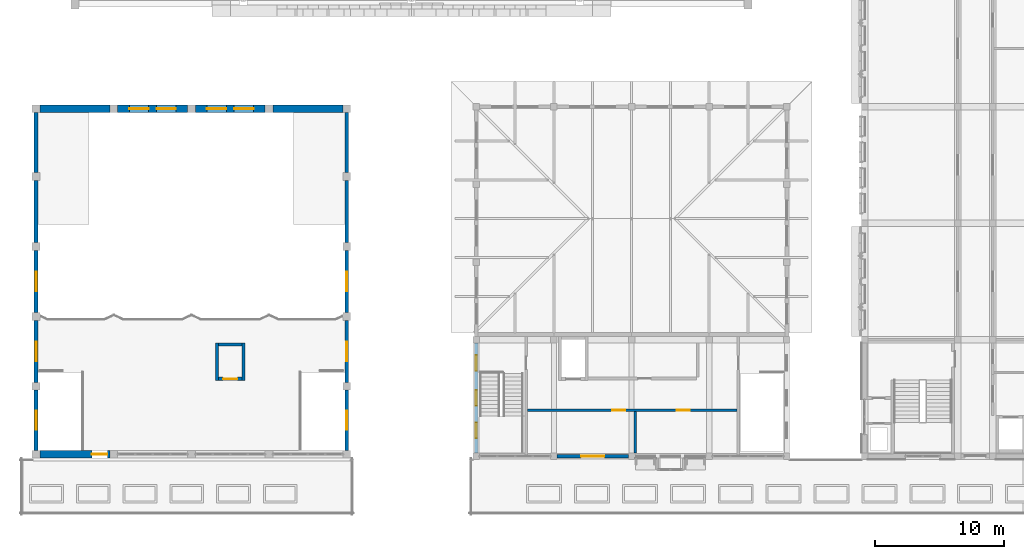
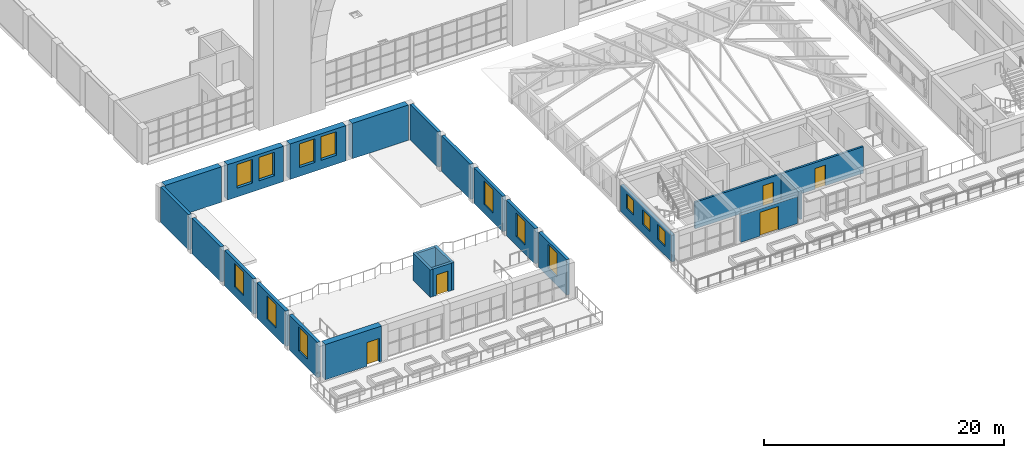
# One storey, part 42 of 82: 23 walls, 13 windows, 5 doors, 18 openings.
"""IFC4 building model written with IfcOpenShell, lengths in metres."""

from ifc_helpers import new_model, si_unit, direction, frame, frame_2d, origin, place, context, subcontext, project, spatial, rectangle, extrude, material, layer, layer_set, type_object, element, fill, save


model = new_model("IFC4")

# Units and contexts
model_context = context("Model", 3, precision=1e-05, world=origin(), true_north=direction((0.0, 1.0)))
body_context = subcontext(model_context, "Body", "Model", "MODEL_VIEW")
ifc_project = project(units=[si_unit("LENGTHUNIT", "METRE"), si_unit("AREAUNIT", "SQUARE_METRE"), si_unit("VOLUMEUNIT", "CUBIC_METRE"), si_unit("PLANEANGLEUNIT", "RADIAN"), si_unit("MASSUNIT", "GRAM", prefix="KILO")], contexts=[model_context])

# Site, building, storey
site_placement = place(None, origin())
site = spatial("IfcSite", under=ifc_project, at=site_placement, CompositionType="ELEMENT")
building_placement = place(site_placement, origin())
building = spatial("IfcBuilding", under=site, at=building_placement, Name="Elbe Cascade School", CompositionType="ELEMENT")
storey_placement = place(building_placement, frame((0.0, 0.0, 4.5)))
storey = spatial("IfcBuildingStorey", under=building, at=storey_placement, Name="L01", CompositionType="ELEMENT", Elevation=4.5)

# Wall, opening, window
ifc_material_1 = material(Name="Concrete C30/37", Category="concrete")
ifc_layer_1 = layer(ifc_material_1, 0.300048828125)
ifc_layer_set_1 = layer_set([ifc_layer_1], Name="Concrete C30/37")
wall_type_1 = type_object("IfcWallType", Name="Assembly hall RC wall 300", PredefinedType="SOLIDWALL", material=ifc_layer_set_1)
wall_1_placement = place(storey_placement, frame((5.0, 6.449951171875, 0.0), z_axis=(0.0, 0.0, 1.0), x_axis=(0.0, 1.0, 0.0)))
wall_1 = element("IfcWall", 1, at=wall_1_placement, inside=storey, type_object=wall_type_1, Name="Assembly hall RC wall 300 W5", PredefinedType="SOLIDWALL", context=body_context, shape_type="SweptSolid", body=[
    extrude(rectangle(XDim=4.650146484375, YDim=0.300048828125, at=frame_2d((2.3251953125, 0.0))), origin(), (0.0, 0.0, 1.0), 3.60009765625),
])
opening_1_placement = place(wall_1_placement, frame((1.574951171875, 0.0, 0.89990234375)))
opening_1 = element("IfcOpeningElement", 2, at=opening_1_placement, cuts=wall_1, Name="Opening W1.143", PredefinedType="OPENING", context=body_context, shape_type="SweptSolid", body=[
    extrude(rectangle(XDim=1.5, YDim=2.39990234375, at=frame_2d((0.75, 1.199951171875))), frame((0.0, 0.159912109375, 0.0), z_axis=(0.0, -1.0, 0.0), x_axis=(1.0, 0.0, 0.0)), (0.0, 0.0, 1.0), 0.320068359375),
])
ifc_material_2 = material(Name="Aluminium - bronze anodised", Category="aluminium")
window_type_1 = type_object("IfcWindowType", Name="Assembly hall gallery window 1500x2400 sill 900", PartitioningType="SINGLE_PANEL", PredefinedType="WINDOW", material=ifc_material_2)
window_1_placement = place(opening_1_placement, origin())
window_1 = element("IfcWindow", 3, at=window_1_placement, inside=storey, type_object=window_type_1, Name="Assembly hall gallery window 1500x2400 sill 900 W1.143", OverallHeight=2.39990234375, OverallWidth=1.5, PartitioningType="SINGLE_PANEL", PredefinedType="WINDOW", context=body_context, shape_type="SweptSolid", body=[
    extrude(rectangle(XDim=1.5, YDim=2.39990234375, at=frame_2d((0.75, 1.199951171875))), frame((0.0, 0.030029296875, 0.0), z_axis=(0.0, -1.0, 0.0), x_axis=(1.0, 0.0, 0.0)), (0.0, 0.0, 1.0), 0.06005859375),
])
fill(opening_1, window_1)

wall_2_placement = place(storey_placement, frame((5.0, 11.699951171875, 0.0), z_axis=(0.0, 0.0, 1.0), x_axis=(0.0, 1.0, 0.0)))
wall_2 = element("IfcWall", 4, at=wall_2_placement, inside=storey, type_object=wall_type_1, Name="Assembly hall RC wall 300 W5", PredefinedType="SOLIDWALL", context=body_context, shape_type="SweptSolid", body=[
    extrude(rectangle(XDim=4.800048828125, YDim=0.300048828125, at=frame_2d((2.39990234375, 0.0))), origin(), (0.0, 0.0, 1.0), 3.60009765625),
])
opening_2_placement = place(wall_2_placement, frame((1.64990234375, 0.0, 0.89990234375)))
opening_2 = element("IfcOpeningElement", 5, at=opening_2_placement, cuts=wall_2, Name="Opening W1.145", PredefinedType="OPENING", context=body_context, shape_type="SweptSolid", body=[
    extrude(rectangle(XDim=1.5, YDim=2.39990234375, at=frame_2d((0.75, 1.199951171875))), frame((0.0, 0.159912109375, 0.0), z_axis=(0.0, -1.0, 0.0), x_axis=(1.0, 0.0, 0.0)), (0.0, 0.0, 1.0), 0.320068359375),
])
window_2_placement = place(opening_2_placement, origin())
window_2 = element("IfcWindow", 6, at=window_2_placement, inside=storey, type_object=window_type_1, Name="Assembly hall gallery window 1500x2400 sill 900 W1.145", OverallHeight=2.39990234375, OverallWidth=1.5, PartitioningType="SINGLE_PANEL", PredefinedType="WINDOW", context=body_context, shape_type="SweptSolid", body=[
    extrude(rectangle(XDim=1.5, YDim=2.39990234375, at=frame_2d((0.75, 1.199951171875))), frame((0.0, 0.030029296875, 0.0), z_axis=(0.0, -1.0, 0.0), x_axis=(1.0, 0.0, 0.0)), (0.0, 0.0, 1.0), 0.06005859375),
])
fill(opening_2, window_2)

wall_3_placement = place(storey_placement, frame((5.0, 17.10009765625, 0.0), z_axis=(0.0, 0.0, 1.0), x_axis=(0.0, 1.0, 0.0)))
wall_3 = element("IfcWall", 7, at=wall_3_placement, inside=storey, type_object=wall_type_1, Name="Assembly hall RC wall 300 W5", PredefinedType="SOLIDWALL", context=body_context, shape_type="SweptSolid", body=[
    extrude(rectangle(XDim=4.7998046875, YDim=0.300048828125, at=frame_2d((2.39990234375, 0.0))), origin(), (0.0, 0.0, 1.0), 3.60009765625),
])
opening_3_placement = place(wall_3_placement, frame((1.64990234375, 0.0, 0.89990234375)))
opening_3 = element("IfcOpeningElement", 8, at=opening_3_placement, cuts=wall_3, Name="Opening W1.147", PredefinedType="OPENING", context=body_context, shape_type="SweptSolid", body=[
    extrude(rectangle(XDim=1.5, YDim=2.39990234375, at=frame_2d((0.75, 1.199951171875))), frame((0.0, 0.159912109375, 0.0), z_axis=(0.0, -1.0, 0.0), x_axis=(1.0, 0.0, 0.0)), (0.0, 0.0, 1.0), 0.320068359375),
])
window_3_placement = place(opening_3_placement, origin())
window_3 = element("IfcWindow", 9, at=window_3_placement, inside=storey, type_object=window_type_1, Name="Assembly hall gallery window 1500x2400 sill 900 W1.147", OverallHeight=2.39990234375, OverallWidth=1.5, PartitioningType="SINGLE_PANEL", PredefinedType="WINDOW", context=body_context, shape_type="SweptSolid", body=[
    extrude(rectangle(XDim=1.5, YDim=2.39990234375, at=frame_2d((0.75, 1.199951171875))), frame((0.0, 0.030029296875, 0.0), z_axis=(0.0, -1.0, 0.0), x_axis=(1.0, 0.0, 0.0)), (0.0, 0.0, 1.0), 0.06005859375),
])
fill(opening_3, window_3)

# Walls
wall_4_placement = place(storey_placement, frame((5.0, 22.5, 0.0), z_axis=(0.0, 0.0, 1.0), x_axis=(0.0, 1.0, 0.0)))
element("IfcWall", 10, at=wall_4_placement, inside=storey, type_object=wall_type_1, Name="Assembly hall RC wall 300 W5", PredefinedType="SOLIDWALL", context=body_context, shape_type="SweptSolid", body=[
    extrude(rectangle(XDim=4.800048828125, YDim=0.300048828125, at=frame_2d((2.39990234375, 0.0))), origin(), (0.0, 0.0, 1.0), 3.60009765625),
])
wall_5_placement = place(storey_placement, frame((5.0, 27.89990234375, 0.0), z_axis=(0.0, 0.0, 1.0), x_axis=(0.0, 1.0, 0.0)))
element("IfcWall", 11, at=wall_5_placement, inside=storey, type_object=wall_type_1, Name="Assembly hall RC wall 300 W5", PredefinedType="SOLIDWALL", context=body_context, shape_type="SweptSolid", body=[
    extrude(rectangle(XDim=4.650146484375, YDim=0.300048828125, at=frame_2d((2.3251953125, 0.0))), origin(), (0.0, 0.0, 1.0), 3.60009765625),
])

# Wall, opening, window
wall_6_placement = place(storey_placement, frame((29.0, 11.10009765625, 0.0), z_axis=(0.0, 0.0, 1.0), x_axis=(0.0, -1.0, 0.0)))
wall_6 = element("IfcWall", 12, at=wall_6_placement, inside=storey, type_object=wall_type_1, Name="Assembly hall RC wall 300 W5", PredefinedType="SOLIDWALL", context=body_context, shape_type="SweptSolid", body=[
    extrude(rectangle(XDim=4.650146484375, YDim=0.300048828125, at=frame_2d((2.3251953125, 0.0))), origin(), (0.0, 0.0, 1.0), 3.60009765625),
])
opening_4_placement = place(wall_6_placement, frame((1.574951171875, 0.0, 0.89990234375)))
opening_4 = element("IfcOpeningElement", 13, at=opening_4_placement, cuts=wall_6, Name="Opening W1.144", PredefinedType="OPENING", context=body_context, shape_type="SweptSolid", body=[
    extrude(rectangle(XDim=1.5, YDim=2.39990234375, at=frame_2d((0.75, 1.199951171875))), frame((0.0, 0.159912109375, 0.0), z_axis=(0.0, -1.0, 0.0), x_axis=(1.0, 0.0, 0.0)), (0.0, 0.0, 1.0), 0.320068359375),
])
window_4_placement = place(opening_4_placement, origin())
window_4 = element("IfcWindow", 14, at=window_4_placement, inside=storey, type_object=window_type_1, Name="Assembly hall gallery window 1500x2400 sill 900 W1.144", OverallHeight=2.39990234375, OverallWidth=1.5, PartitioningType="SINGLE_PANEL", PredefinedType="WINDOW", context=body_context, shape_type="SweptSolid", body=[
    extrude(rectangle(XDim=1.5, YDim=2.39990234375, at=frame_2d((0.75, 1.199951171875))), frame((0.0, 0.030029296875, 0.0), z_axis=(0.0, -1.0, 0.0), x_axis=(1.0, 0.0, 0.0)), (0.0, 0.0, 1.0), 0.06005859375),
])
fill(opening_4, window_4)

wall_7_placement = place(storey_placement, frame((29.0, 16.5, 0.0), z_axis=(0.0, 0.0, 1.0), x_axis=(0.0, -1.0, 0.0)))
wall_7 = element("IfcWall", 15, at=wall_7_placement, inside=storey, type_object=wall_type_1, Name="Assembly hall RC wall 300 W5", PredefinedType="SOLIDWALL", context=body_context, shape_type="SweptSolid", body=[
    extrude(rectangle(XDim=4.800048828125, YDim=0.300048828125, at=frame_2d((2.39990234375, 0.0))), origin(), (0.0, 0.0, 1.0), 3.60009765625),
])
opening_5_placement = place(wall_7_placement, frame((1.64990234375, 0.0, 0.89990234375)))
opening_5 = element("IfcOpeningElement", 16, at=opening_5_placement, cuts=wall_7, Name="Opening W1.146", PredefinedType="OPENING", context=body_context, shape_type="SweptSolid", body=[
    extrude(rectangle(XDim=1.5, YDim=2.39990234375, at=frame_2d((0.75, 1.199951171875))), frame((0.0, 0.159912109375, 0.0), z_axis=(0.0, -1.0, 0.0), x_axis=(1.0, 0.0, 0.0)), (0.0, 0.0, 1.0), 0.320068359375),
])
window_5_placement = place(opening_5_placement, origin())
window_5 = element("IfcWindow", 17, at=window_5_placement, inside=storey, type_object=window_type_1, Name="Assembly hall gallery window 1500x2400 sill 900 W1.146", OverallHeight=2.39990234375, OverallWidth=1.5, PartitioningType="SINGLE_PANEL", PredefinedType="WINDOW", context=body_context, shape_type="SweptSolid", body=[
    extrude(rectangle(XDim=1.5, YDim=2.39990234375, at=frame_2d((0.75, 1.199951171875))), frame((0.0, 0.030029296875, 0.0), z_axis=(0.0, -1.0, 0.0), x_axis=(1.0, 0.0, 0.0)), (0.0, 0.0, 1.0), 0.06005859375),
])
fill(opening_5, window_5)

wall_8_placement = place(storey_placement, frame((29.0, 21.89990234375, 0.0), z_axis=(0.0, 0.0, 1.0), x_axis=(0.0, -1.0, 0.0)))
wall_8 = element("IfcWall", 18, at=wall_8_placement, inside=storey, type_object=wall_type_1, Name="Assembly hall RC wall 300 W5", PredefinedType="SOLIDWALL", context=body_context, shape_type="SweptSolid", body=[
    extrude(rectangle(XDim=4.7998046875, YDim=0.300048828125, at=frame_2d((2.39990234375, 0.0))), origin(), (0.0, 0.0, 1.0), 3.60009765625),
])
opening_6_placement = place(wall_8_placement, frame((1.64990234375, 0.0, 0.89990234375)))
opening_6 = element("IfcOpeningElement", 19, at=opening_6_placement, cuts=wall_8, Name="Opening W1.148", PredefinedType="OPENING", context=body_context, shape_type="SweptSolid", body=[
    extrude(rectangle(XDim=1.5, YDim=2.39990234375, at=frame_2d((0.75, 1.199951171875))), frame((0.0, 0.159912109375, 0.0), z_axis=(0.0, -1.0, 0.0), x_axis=(1.0, 0.0, 0.0)), (0.0, 0.0, 1.0), 0.320068359375),
])
window_6_placement = place(opening_6_placement, origin())
window_6 = element("IfcWindow", 20, at=window_6_placement, inside=storey, type_object=window_type_1, Name="Assembly hall gallery window 1500x2400 sill 900 W1.148", OverallHeight=2.39990234375, OverallWidth=1.5, PartitioningType="SINGLE_PANEL", PredefinedType="WINDOW", context=body_context, shape_type="SweptSolid", body=[
    extrude(rectangle(XDim=1.5, YDim=2.39990234375, at=frame_2d((0.75, 1.199951171875))), frame((0.0, 0.030029296875, 0.0), z_axis=(0.0, -1.0, 0.0), x_axis=(1.0, 0.0, 0.0)), (0.0, 0.0, 1.0), 0.06005859375),
])
fill(opening_6, window_6)

# Walls
wall_9_placement = place(storey_placement, frame((29.0, 27.300048828125, 0.0), z_axis=(0.0, 0.0, 1.0), x_axis=(0.0, -1.0, 0.0)))
element("IfcWall", 21, at=wall_9_placement, inside=storey, type_object=wall_type_1, Name="Assembly hall RC wall 300 W5", PredefinedType="SOLIDWALL", context=body_context, shape_type="SweptSolid", body=[
    extrude(rectangle(XDim=4.800048828125, YDim=0.300048828125, at=frame_2d((2.39990234375, 0.0))), origin(), (0.0, 0.0, 1.0), 3.60009765625),
])
wall_10_placement = place(storey_placement, frame((29.0, 32.550048828125, 0.0), z_axis=(0.0, 0.0, 1.0), x_axis=(0.0, -1.0, 0.0)))
element("IfcWall", 22, at=wall_10_placement, inside=storey, type_object=wall_type_1, Name="Assembly hall RC wall 300 W5", PredefinedType="SOLIDWALL", context=body_context, shape_type="SweptSolid", body=[
    extrude(rectangle(XDim=4.650146484375, YDim=0.300048828125, at=frame_2d((2.3251953125, 0.0))), origin(), (0.0, 0.0, 1.0), 3.60009765625),
])

# Wall, opening, door
ifc_material_3 = material(Name="Concrete C30/37", Category="concrete")
ifc_layer_2 = layer(ifc_material_3, 0.60009765625)
ifc_layer_set_2 = layer_set([ifc_layer_2], Name="Concrete C30/37")
wall_type_2 = type_object("IfcWallType", Name="Assembly hall gable wall 600", PredefinedType="SOLIDWALL", material=ifc_layer_set_2)
wall_11_placement = place(storey_placement, frame((10.699951171875, 6.14990234375, 0.0), z_axis=(0.0, 0.0, 1.0), x_axis=(-1.0, 0.0, 0.0)))
wall_11 = element("IfcWall", 23, at=wall_11_placement, inside=storey, type_object=wall_type_2, Name="Assembly hall gable wall 600 W6", PredefinedType="SOLIDWALL", context=body_context, shape_type="SweptSolid", body=[
    extrude(rectangle(XDim=5.39990234375, YDim=0.60009765625, at=frame_2d((2.699951171875, 0.0))), origin(), (0.0, 0.0, 1.0), 3.60009765625),
])
opening_7_placement = place(wall_11_placement, frame((0.199951171875, 0.0, 0.0)))
opening_7 = element("IfcOpeningElement", 24, at=opening_7_placement, cuts=wall_11, Name="Opening D1.113", PredefinedType="OPENING", context=body_context, shape_type="SweptSolid", body=[
    extrude(rectangle(XDim=1.199951171875, YDim=2.39990234375, at=frame_2d((0.60009765625, 1.199951171875))), frame((0.0, 0.31005859375, 0.0), z_axis=(0.0, -1.0, 0.0), x_axis=(1.0, 0.0, 0.0)), (0.0, 0.0, 1.0), 0.6201171875),
])
ifc_material_4 = material(Name="Timber - oak door leaf", Category="wood")
door_type_1 = type_object("IfcDoorType", Name="Assembly hall gallery terrace door 1200x2400 swing NOT RATED", OperationType="NOTDEFINED", PredefinedType="NOTDEFINED", material=ifc_material_4)
door_1_placement = place(opening_7_placement, origin())
door_1 = element("IfcDoor", 25, at=door_1_placement, inside=storey, type_object=door_type_1, Name="Assembly hall gallery terrace door 1200x2400 swing NOT RATED D1.113", OperationType="SINGLE_SWING_LEFT", OverallHeight=2.39990234375, OverallWidth=1.199951171875, PredefinedType="NOTDEFINED", context=body_context, shape_type="SweptSolid", body=[
    extrude(rectangle(XDim=1.199951171875, YDim=2.39990234375, at=frame_2d((0.60009765625, 1.199951171875))), frame((0.0, 0.02490234375, 0.0), z_axis=(0.0, -1.0, 0.0), x_axis=(1.0, 0.0, 0.0)), (0.0, 0.0, 1.0), 0.050048828125),
])
fill(opening_7, door_1)

# Wall
wall_12_placement = place(storey_placement, frame((5.300048828125, 32.85009765625, 0.0), z_axis=(0.0, 0.0, 1.0), x_axis=(1.0, 0.0, 0.0)))
element("IfcWall", 26, at=wall_12_placement, inside=storey, type_object=wall_type_2, Name="Assembly hall gable wall 600 W6", PredefinedType="SOLIDWALL", context=body_context, shape_type="SweptSolid", body=[
    extrude(rectangle(XDim=5.39990234375, YDim=0.60009765625, at=frame_2d((2.699951171875, 0.0))), origin(), (0.0, 0.0, 1.0), 3.60009765625),
])

# Wall, openings, windows
wall_13_placement = place(storey_placement, frame((11.300048828125, 32.85009765625, 0.0), z_axis=(0.0, 0.0, 1.0), x_axis=(1.0, 0.0, 0.0)))
wall_13 = element("IfcWall", 27, at=wall_13_placement, inside=storey, type_object=wall_type_2, Name="Assembly hall gable wall 600 W6", PredefinedType="SOLIDWALL", context=body_context, shape_type="SweptSolid", body=[
    extrude(rectangle(XDim=5.39990234375, YDim=0.60009765625, at=frame_2d((2.699951171875, 0.0))), origin(), (0.0, 0.0, 1.0), 3.60009765625),
])
opening_8_placement = place(wall_13_placement, frame((0.89990234375, 0.0, 0.89990234375)))
opening_8 = element("IfcOpeningElement", 28, at=opening_8_placement, cuts=wall_13, Name="Opening W1.149", PredefinedType="OPENING", context=body_context, shape_type="SweptSolid", body=[
    extrude(rectangle(XDim=1.5, YDim=2.39990234375, at=frame_2d((0.75, 1.199951171875))), frame((0.0, 0.31005859375, 0.0), z_axis=(0.0, -1.0, 0.0), x_axis=(1.0, 0.0, 0.0)), (0.0, 0.0, 1.0), 0.6201171875),
])
opening_9_placement = place(wall_13_placement, frame((3.0, 0.0, 0.89990234375)))
opening_9 = element("IfcOpeningElement", 29, at=opening_9_placement, cuts=wall_13, Name="Opening W1.150", PredefinedType="OPENING", context=body_context, shape_type="SweptSolid", body=[
    extrude(rectangle(XDim=1.5, YDim=2.39990234375, at=frame_2d((0.75, 1.199951171875))), frame((0.0, 0.31005859375, 0.0), z_axis=(0.0, -1.0, 0.0), x_axis=(1.0, 0.0, 0.0)), (0.0, 0.0, 1.0), 0.6201171875),
])
window_7_placement = place(opening_8_placement, origin())
window_7 = element("IfcWindow", 30, at=window_7_placement, inside=storey, type_object=window_type_1, Name="Assembly hall gallery window 1500x2400 sill 900 W1.149", OverallHeight=2.39990234375, OverallWidth=1.5, PartitioningType="SINGLE_PANEL", PredefinedType="WINDOW", context=body_context, shape_type="SweptSolid", body=[
    extrude(rectangle(XDim=1.5, YDim=2.39990234375, at=frame_2d((0.75, 1.199951171875))), frame((0.0, 0.030029296875, 0.0), z_axis=(0.0, -1.0, 0.0), x_axis=(1.0, 0.0, 0.0)), (0.0, 0.0, 1.0), 0.06005859375),
])
fill(opening_8, window_7)
window_8_placement = place(opening_9_placement, origin())
window_8 = element("IfcWindow", 31, at=window_8_placement, inside=storey, type_object=window_type_1, Name="Assembly hall gallery window 1500x2400 sill 900 W1.150", OverallHeight=2.39990234375, OverallWidth=1.5, PartitioningType="SINGLE_PANEL", PredefinedType="WINDOW", context=body_context, shape_type="SweptSolid", body=[
    extrude(rectangle(XDim=1.5, YDim=2.39990234375, at=frame_2d((0.75, 1.199951171875))), frame((0.0, 0.030029296875, 0.0), z_axis=(0.0, -1.0, 0.0), x_axis=(1.0, 0.0, 0.0)), (0.0, 0.0, 1.0), 0.06005859375),
])
fill(opening_9, window_8)

wall_14_placement = place(storey_placement, frame((17.300048828125, 32.85009765625, 0.0), z_axis=(0.0, 0.0, 1.0), x_axis=(1.0, 0.0, 0.0)))
wall_14 = element("IfcWall", 32, at=wall_14_placement, inside=storey, type_object=wall_type_2, Name="Assembly hall gable wall 600 W6", PredefinedType="SOLIDWALL", context=body_context, shape_type="SweptSolid", body=[
    extrude(rectangle(XDim=5.39990234375, YDim=0.60009765625, at=frame_2d((2.699951171875, 0.0))), origin(), (0.0, 0.0, 1.0), 3.60009765625),
])
opening_10_placement = place(wall_14_placement, frame((0.89990234375, 0.0, 0.89990234375)))
opening_10 = element("IfcOpeningElement", 33, at=opening_10_placement, cuts=wall_14, Name="Opening W1.151", PredefinedType="OPENING", context=body_context, shape_type="SweptSolid", body=[
    extrude(rectangle(XDim=1.5, YDim=2.39990234375, at=frame_2d((0.75, 1.199951171875))), frame((0.0, 0.31005859375, 0.0), z_axis=(0.0, -1.0, 0.0), x_axis=(1.0, 0.0, 0.0)), (0.0, 0.0, 1.0), 0.6201171875),
])
opening_11_placement = place(wall_14_placement, frame((3.0, 0.0, 0.89990234375)))
opening_11 = element("IfcOpeningElement", 34, at=opening_11_placement, cuts=wall_14, Name="Opening W1.152", PredefinedType="OPENING", context=body_context, shape_type="SweptSolid", body=[
    extrude(rectangle(XDim=1.5, YDim=2.39990234375, at=frame_2d((0.75, 1.199951171875))), frame((0.0, 0.31005859375, 0.0), z_axis=(0.0, -1.0, 0.0), x_axis=(1.0, 0.0, 0.0)), (0.0, 0.0, 1.0), 0.6201171875),
])
window_9_placement = place(opening_10_placement, origin())
window_9 = element("IfcWindow", 35, at=window_9_placement, inside=storey, type_object=window_type_1, Name="Assembly hall gallery window 1500x2400 sill 900 W1.151", OverallHeight=2.39990234375, OverallWidth=1.5, PartitioningType="SINGLE_PANEL", PredefinedType="WINDOW", context=body_context, shape_type="SweptSolid", body=[
    extrude(rectangle(XDim=1.5, YDim=2.39990234375, at=frame_2d((0.75, 1.199951171875))), frame((0.0, 0.030029296875, 0.0), z_axis=(0.0, -1.0, 0.0), x_axis=(1.0, 0.0, 0.0)), (0.0, 0.0, 1.0), 0.06005859375),
])
fill(opening_10, window_9)
window_10_placement = place(opening_11_placement, origin())
window_10 = element("IfcWindow", 36, at=window_10_placement, inside=storey, type_object=window_type_1, Name="Assembly hall gallery window 1500x2400 sill 900 W1.152", OverallHeight=2.39990234375, OverallWidth=1.5, PartitioningType="SINGLE_PANEL", PredefinedType="WINDOW", context=body_context, shape_type="SweptSolid", body=[
    extrude(rectangle(XDim=1.5, YDim=2.39990234375, at=frame_2d((0.75, 1.199951171875))), frame((0.0, 0.030029296875, 0.0), z_axis=(0.0, -1.0, 0.0), x_axis=(1.0, 0.0, 0.0)), (0.0, 0.0, 1.0), 0.06005859375),
])
fill(opening_11, window_10)

# Walls
wall_15_placement = place(storey_placement, frame((23.300048828125, 32.85009765625, 0.0), z_axis=(0.0, 0.0, 1.0), x_axis=(1.0, 0.0, 0.0)))
element("IfcWall", 37, at=wall_15_placement, inside=storey, type_object=wall_type_2, Name="Assembly hall gable wall 600 W6", PredefinedType="SOLIDWALL", context=body_context, shape_type="SweptSolid", body=[
    extrude(rectangle(XDim=5.39990234375, YDim=0.60009765625, at=frame_2d((2.699951171875, 0.0))), origin(), (0.0, 0.0, 1.0), 3.60009765625),
])
ifc_material_5 = material(Name="Concrete C30/37", Category="concrete")
ifc_layer_3 = layer(ifc_material_5, 0.25)
ifc_layer_set_3 = layer_set([ifc_layer_3], Name="Concrete C30/37")
wall_type_3 = type_object("IfcWallType", Name="Assembly hall lift shaft wall 250", PredefinedType="SHEAR", material=ifc_layer_set_3)
for number, where, z_axis, x_axis, name in (
    (38, (18.97509765625, 11.85009765625, 0.0), (0.0, 0.0, 1.0), (0.0, 1.0, 0.0), "Assembly hall lift shaft wall 250 W8"),
    (39, (21.02490234375, 11.85009765625, 0.0), (0.0, 0.0, 1.0), (0.0, 1.0, 0.0), "Assembly hall lift shaft wall 250 W8"),
):
    element("IfcWall", number, at=place(storey_placement, frame(where, z_axis=z_axis, x_axis=x_axis)), inside=storey, type_object=wall_type_3, Name=name, PredefinedType="SHEAR", context=body_context, shape_type="SweptSolid", body=[
        extrude(rectangle(XDim=2.89990234375, YDim=0.25, at=frame_2d((1.449951171875, 0.0))), origin(), (0.0, 0.0, 1.0), 2.800048828125),
    ])

# Wall, opening, door
wall_16_placement = place(storey_placement, frame((19.10009765625, 11.97509765625, 0.0), z_axis=(0.0, 0.0, 1.0), x_axis=(1.0, 0.0, 0.0)))
wall_16 = element("IfcWall", 40, at=wall_16_placement, inside=storey, type_object=wall_type_3, Name="Assembly hall lift shaft wall 250 W8", PredefinedType="SHEAR", context=body_context, shape_type="SweptSolid", body=[
    extrude(rectangle(XDim=1.7998046875, YDim=0.25, at=frame_2d((0.89990234375, 0.0))), origin(), (0.0, 0.0, 1.0), 2.800048828125),
])
opening_12_placement = place(wall_16_placement, frame((0.35009765625, 0.0, 0.0)))
opening_12 = element("IfcOpeningElement", 41, at=opening_12_placement, cuts=wall_16, Name="Opening D1.114", PredefinedType="OPENING", context=body_context, shape_type="SweptSolid", body=[
    extrude(rectangle(XDim=1.10009765625, YDim=2.10009765625, at=frame_2d((0.550048828125, 1.050048828125))), frame((0.0, 0.135009765625, 0.0), z_axis=(0.0, -1.0, 0.0), x_axis=(1.0, 0.0, 0.0)), (0.0, 0.0, 1.0), 0.27001953125),
])
ifc_material_6 = material(Name="Steel - fire door leaf", Category="steel")
door_type_2 = type_object("IfcDoorType", Name="Assembly hall lift landing door 1100x2100 slide FD60", OperationType="SLIDING_TO_LEFT", PredefinedType="NOTDEFINED", material=ifc_material_6)
door_2_placement = place(opening_12_placement, origin())
door_2 = element("IfcDoor", 42, at=door_2_placement, inside=storey, type_object=door_type_2, Name="Assembly hall lift landing door 1100x2100 slide FD60 D1.114", OperationType="SLIDING_TO_LEFT", OverallHeight=2.10009765625, OverallWidth=1.10009765625, PredefinedType="NOTDEFINED", context=body_context, shape_type="SweptSolid", body=[
    extrude(rectangle(XDim=1.10009765625, YDim=2.10009765625, at=frame_2d((0.550048828125, 1.050048828125))), frame((0.0, 0.02490234375, 0.0), z_axis=(0.0, -1.0, 0.0), x_axis=(1.0, 0.0, 0.0)), (0.0, 0.0, 1.0), 0.050048828125),
])
fill(opening_12, door_2)

# Wall
wall_17_placement = place(storey_placement, frame((19.10009765625, 14.625, 0.0), z_axis=(0.0, 0.0, 1.0), x_axis=(1.0, 0.0, 0.0)))
element("IfcWall", 43, at=wall_17_placement, inside=storey, type_object=wall_type_3, Name="Assembly hall lift shaft wall 250 W8", PredefinedType="SHEAR", context=body_context, shape_type="SweptSolid", body=[
    extrude(rectangle(XDim=1.7998046875, YDim=0.25, at=frame_2d((0.89990234375, 0.0))), origin(), (0.0, 0.0, 1.0), 2.800048828125),
])

# Wall, openings, doors
ifc_material_7 = material(Name="Masonry - rendered blockwork", Category="masonry")
ifc_layer_4 = layer(ifc_material_7, 0.199951171875)
ifc_layer_set_4 = layer_set([ifc_layer_4], Name="Masonry - rendered blockwork")
wall_type_4 = type_object("IfcWallType", Name="Cafe partition wall 200", PredefinedType="PARTITIONING", material=ifc_layer_set_4)
wall_18_placement = place(storey_placement, frame((42.949951171875, 9.550048828125, 0.0), z_axis=(0.0, 0.0, 1.0), x_axis=(1.0, 0.0, 0.0)))
wall_18 = element("IfcWall", 44, at=wall_18_placement, inside=storey, type_object=wall_type_4, Name="Cafe partition wall 200 W40", PredefinedType="PARTITIONING", context=body_context, shape_type="SweptSolid", body=[
    extrude(rectangle(XDim=16.199951171875, YDim=0.199951171875, at=frame_2d((8.10009765625, 0.0))), origin(), (0.0, 0.0, 1.0), 2.699951171875),
])
opening_13_placement = place(wall_18_placement, frame((6.550048828125, 0.0, 0.0)))
opening_13 = element("IfcOpeningElement", 45, at=opening_13_placement, cuts=wall_18, Name="Opening D1.116", PredefinedType="OPENING", context=body_context, shape_type="SweptSolid", body=[
    extrude(rectangle(XDim=1.0, YDim=2.10009765625, at=frame_2d((0.5, 1.050048828125))), frame((0.0, 0.10986328125, 0.0), z_axis=(0.0, -1.0, 0.0), x_axis=(1.0, 0.0, 0.0)), (0.0, 0.0, 1.0), 0.219970703125),
])
opening_14_placement = place(wall_18_placement, frame((11.550048828125, 0.0, 0.0)))
opening_14 = element("IfcOpeningElement", 46, at=opening_14_placement, cuts=wall_18, Name="Opening D1.117", PredefinedType="OPENING", context=body_context, shape_type="SweptSolid", body=[
    extrude(rectangle(XDim=1.0, YDim=2.10009765625, at=frame_2d((0.5, 1.050048828125))), frame((0.0, 0.10986328125, 0.0), z_axis=(0.0, -1.0, 0.0), x_axis=(1.0, 0.0, 0.0)), (0.0, 0.0, 1.0), 0.219970703125),
])
ifc_material_8 = material(Name="Timber - oak door leaf", Category="wood")
door_type_3 = type_object("IfcDoorType", Name="Cafe community room door 1000x2100 swing NOT RATED", OperationType="NOTDEFINED", PredefinedType="NOTDEFINED", material=ifc_material_8)
door_3_placement = place(opening_13_placement, origin())
door_3 = element("IfcDoor", 47, at=door_3_placement, inside=storey, type_object=door_type_3, Name="Cafe community room door 1000x2100 swing NOT RATED D1.116", OperationType="SINGLE_SWING_LEFT", OverallHeight=2.10009765625, OverallWidth=1.0, PredefinedType="NOTDEFINED", context=body_context, shape_type="SweptSolid", body=[
    extrude(rectangle(XDim=1.0, YDim=2.10009765625, at=frame_2d((0.5, 1.050048828125))), frame((0.0, 0.02490234375, 0.0), z_axis=(0.0, -1.0, 0.0), x_axis=(1.0, 0.0, 0.0)), (0.0, 0.0, 1.0), 0.050048828125),
])
fill(opening_13, door_3)
door_4_placement = place(opening_14_placement, origin())
door_4 = element("IfcDoor", 48, at=door_4_placement, inside=storey, type_object=door_type_3, Name="Cafe community room door 1000x2100 swing NOT RATED D1.117", OperationType="SINGLE_SWING_RIGHT", OverallHeight=2.10009765625, OverallWidth=1.0, PredefinedType="NOTDEFINED", context=body_context, shape_type="SweptSolid", body=[
    extrude(rectangle(XDim=1.0, YDim=2.10009765625, at=frame_2d((0.5, 1.050048828125))), frame((0.0, 0.02490234375, 0.0), z_axis=(0.0, -1.0, 0.0), x_axis=(1.0, 0.0, 0.0)), (0.0, 0.0, 1.0), 0.050048828125),
])
fill(opening_14, door_4)

# Wall
wall_19_placement = place(storey_placement, frame((51.300048828125, 6.25, 0.0), z_axis=(0.0, 0.0, 1.0), x_axis=(0.0, 1.0, 0.0)))
element("IfcWall", 49, at=wall_19_placement, inside=storey, type_object=wall_type_4, Name="Cafe partition wall 200 W40", PredefinedType="PARTITIONING", context=body_context, shape_type="SweptSolid", body=[
    extrude(rectangle(XDim=3.199951171875, YDim=0.199951171875, at=frame_2d((1.60009765625, 0.0))), origin(), (0.0, 0.0, 1.0), 2.699951171875),
])

# Wall, opening, door
ifc_material_9 = material(Name="Concrete C30/37", Category="concrete")
ifc_layer_5 = layer(ifc_material_9, 0.300048828125)
ifc_layer_set_5 = layer_set([ifc_layer_5], Name="Concrete C30/37")
wall_type_5 = type_object("IfcWallType", Name="Cafe wing RC wall 300", PredefinedType="SOLIDWALL", material=ifc_layer_set_5)
wall_20_placement = place(storey_placement, frame((50.75, 6.0, 0.0), z_axis=(0.0, 0.0, 1.0), x_axis=(-1.0, 0.0, 0.0)))
wall_20 = element("IfcWall", 50, at=wall_20_placement, inside=storey, type_object=wall_type_5, Name="Cafe wing RC wall 300 W10", PredefinedType="SOLIDWALL", context=body_context, shape_type="SweptSolid", body=[
    extrude(rectangle(XDim=5.5, YDim=0.300048828125, at=frame_2d((2.75, 0.0))), origin(), (0.0, 0.0, 1.0), 2.75),
])
opening_15_placement = place(wall_20_placement, frame((1.85009765625, 0.0, 0.0)))
opening_15 = element("IfcOpeningElement", 51, at=opening_15_placement, cuts=wall_20, Name="Opening D1.115", PredefinedType="OPENING", context=body_context, shape_type="SweptSolid", body=[
    extrude(rectangle(XDim=1.800048828125, YDim=2.39990234375, at=frame_2d((0.89990234375, 1.199951171875))), frame((0.0, 0.159912109375, 0.0), z_axis=(0.0, -1.0, 0.0), x_axis=(1.0, 0.0, 0.0)), (0.0, 0.0, 1.0), 0.320068359375),
])
ifc_material_10 = material(Name="Timber - oak door leaf", Category="wood")
door_type_4 = type_object("IfcDoorType", Name="Cafe community terrace door 1800x2400 double NOT RATED", OperationType="DOUBLE_DOOR_SINGLE_SWING", PredefinedType="NOTDEFINED", material=ifc_material_10)
door_5_placement = place(opening_15_placement, origin())
door_5 = element("IfcDoor", 52, at=door_5_placement, inside=storey, type_object=door_type_4, Name="Cafe community terrace door 1800x2400 double NOT RATED D1.115", OperationType="DOUBLE_DOOR_SINGLE_SWING", OverallHeight=2.39990234375, OverallWidth=1.800048828125, PredefinedType="NOTDEFINED", context=body_context, shape_type="SweptSolid", body=[
    extrude(rectangle(XDim=1.800048828125, YDim=2.39990234375, at=frame_2d((0.89990234375, 1.199951171875))), frame((0.0, 0.02490234375, 0.0), z_axis=(0.0, -1.0, 0.0), x_axis=(1.0, 0.0, 0.0)), (0.0, 0.0, 1.0), 0.050048828125),
])
fill(opening_15, door_5)

# Wall, openings, windows
wall_21_placement = place(storey_placement, frame((39.0, 6.25, 0.0), z_axis=(0.0, 0.0, 1.0), x_axis=(0.0, 1.0, 0.0)))
wall_21 = element("IfcWall", 53, at=wall_21_placement, inside=storey, type_object=wall_type_5, Name="Cafe wing RC wall 300 W10", PredefinedType="SOLIDWALL", context=body_context, shape_type="SweptSolid", body=[
    extrude(rectangle(XDim=8.5, YDim=0.300048828125, at=frame_2d((4.25, 0.0))), origin(), (0.0, 0.0, 1.0), 2.699951171875),
])
opening_16_placement = place(wall_21_placement, frame((1.14990234375, 0.0, 0.89990234375)))
opening_16 = element("IfcOpeningElement", 54, at=opening_16_placement, cuts=wall_21, Name="Opening W1.156", PredefinedType="OPENING", context=body_context, shape_type="SweptSolid", body=[
    extrude(rectangle(XDim=1.199951171875, YDim=1.5, at=frame_2d((0.60009765625, 0.75))), frame((0.0, 0.159912109375, 0.0), z_axis=(0.0, -1.0, 0.0), x_axis=(1.0, 0.0, 0.0)), (0.0, 0.0, 1.0), 0.320068359375),
])
opening_17_placement = place(wall_21_placement, frame((3.64990234375, 0.0, 0.89990234375)))
opening_17 = element("IfcOpeningElement", 55, at=opening_17_placement, cuts=wall_21, Name="Opening W1.158", PredefinedType="OPENING", context=body_context, shape_type="SweptSolid", body=[
    extrude(rectangle(XDim=1.199951171875, YDim=1.5, at=frame_2d((0.60009765625, 0.75))), frame((0.0, 0.159912109375, 0.0), z_axis=(0.0, -1.0, 0.0), x_axis=(1.0, 0.0, 0.0)), (0.0, 0.0, 1.0), 0.320068359375),
])
opening_18_placement = place(wall_21_placement, frame((6.35009765625, 0.0, 0.89990234375)))
opening_18 = element("IfcOpeningElement", 56, at=opening_18_placement, cuts=wall_21, Name="Opening W1.160", PredefinedType="OPENING", context=body_context, shape_type="SweptSolid", body=[
    extrude(rectangle(XDim=1.199951171875, YDim=1.5, at=frame_2d((0.60009765625, 0.75))), frame((0.0, 0.159912109375, 0.0), z_axis=(0.0, -1.0, 0.0), x_axis=(1.0, 0.0, 0.0)), (0.0, 0.0, 1.0), 0.320068359375),
])
ifc_material_11 = material(Name="Aluminium - bronze anodised", Category="aluminium")
window_type_2 = type_object("IfcWindowType", Name="Cafe wing small window 1200x1500 sill 900", PartitioningType="SINGLE_PANEL", PredefinedType="WINDOW", material=ifc_material_11)
window_11_placement = place(opening_16_placement, origin())
window_11 = element("IfcWindow", 57, at=window_11_placement, inside=storey, type_object=window_type_2, Name="Cafe wing small window 1200x1500 sill 900 W1.156", OverallHeight=1.5, OverallWidth=1.199951171875, PartitioningType="SINGLE_PANEL", PredefinedType="WINDOW", context=body_context, shape_type="SweptSolid", body=[
    extrude(rectangle(XDim=1.199951171875, YDim=1.5, at=frame_2d((0.60009765625, 0.75))), frame((0.0, 0.030029296875, 0.0), z_axis=(0.0, -1.0, 0.0), x_axis=(1.0, 0.0, 0.0)), (0.0, 0.0, 1.0), 0.06005859375),
])
fill(opening_16, window_11)
window_12_placement = place(opening_17_placement, origin())
window_12 = element("IfcWindow", 58, at=window_12_placement, inside=storey, type_object=window_type_2, Name="Cafe wing small window 1200x1500 sill 900 W1.158", OverallHeight=1.5, OverallWidth=1.199951171875, PartitioningType="SINGLE_PANEL", PredefinedType="WINDOW", context=body_context, shape_type="SweptSolid", body=[
    extrude(rectangle(XDim=1.199951171875, YDim=1.5, at=frame_2d((0.60009765625, 0.75))), frame((0.0, 0.030029296875, 0.0), z_axis=(0.0, -1.0, 0.0), x_axis=(1.0, 0.0, 0.0)), (0.0, 0.0, 1.0), 0.06005859375),
])
fill(opening_17, window_12)
window_13_placement = place(opening_18_placement, origin())
window_13 = element("IfcWindow", 59, at=window_13_placement, inside=storey, type_object=window_type_2, Name="Cafe wing small window 1200x1500 sill 900 W1.160", OverallHeight=1.5, OverallWidth=1.199951171875, PartitioningType="SINGLE_PANEL", PredefinedType="WINDOW", context=body_context, shape_type="SweptSolid", body=[
    extrude(rectangle(XDim=1.199951171875, YDim=1.5, at=frame_2d((0.60009765625, 0.75))), frame((0.0, 0.030029296875, 0.0), z_axis=(0.0, -1.0, 0.0), x_axis=(1.0, 0.0, 0.0)), (0.0, 0.0, 1.0), 0.06005859375),
])
fill(opening_18, window_13)

save(model, "model.ifc")
